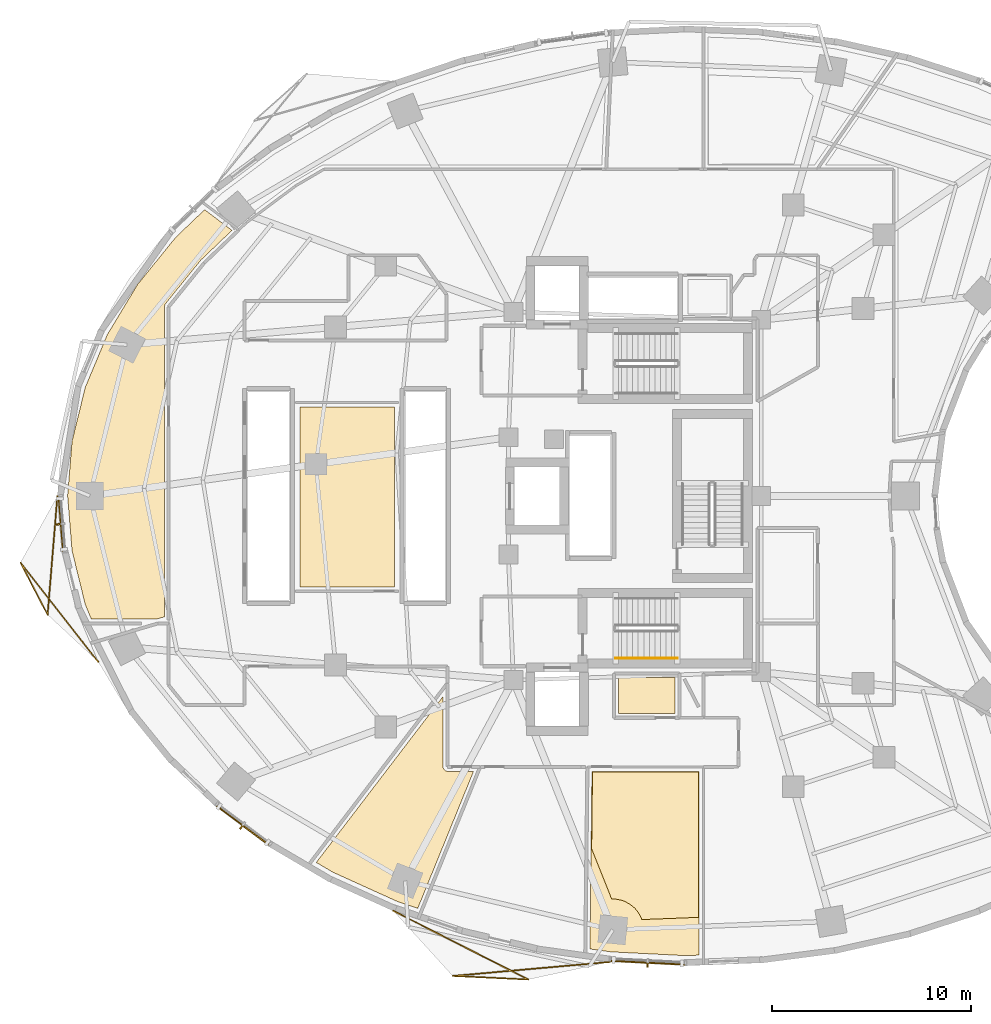
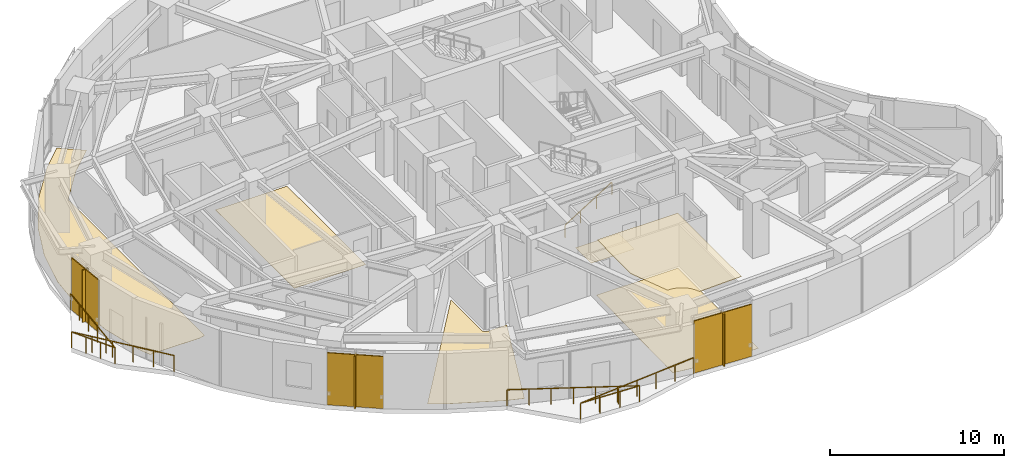
# One storey, part 13 of 15: 6 coverings, 6 shading devices, 3 railings.
"""IFC4 building model written with IfcOpenShell, lengths in metres."""

from ifc_helpers import new_model, si_unit, direction, frame, origin, origin_2d, place, context, subcontext, project, spatial, polyline, rectangle, outline, extrude, material, layer, layer_set, type_object, element, save


model = new_model("IFC4")

# Units and contexts
model_context = context("Model", 3, precision=1e-05, world=origin(), true_north=direction((0.0, 1.0)))
body_context = subcontext(model_context, "Body", "Model", "MODEL_VIEW")
ifc_project = project(units=[si_unit("LENGTHUNIT", "METRE"), si_unit("AREAUNIT", "SQUARE_METRE"), si_unit("VOLUMEUNIT", "CUBIC_METRE"), si_unit("PLANEANGLEUNIT", "RADIAN"), si_unit("MASSUNIT", "GRAM", prefix="KILO")], contexts=[model_context])

# Site, building, storey
site_placement = place(None, origin())
site = spatial("IfcSite", under=ifc_project, at=site_placement, CompositionType="ELEMENT")
building_placement = place(site_placement, origin())
building = spatial("IfcBuilding", under=site, at=building_placement, Name="Korentha Bioscience Tower", CompositionType="ELEMENT")
storey_placement = place(building_placement, frame((0.0, 0.0, 38.39990234375)))
storey = spatial("IfcBuildingStorey", under=building, at=storey_placement, Name="L08", CompositionType="ELEMENT", Elevation=38.39990234375)

# Railings
ifc_material_1 = material(Name="Stainless Steel 304", Category="steel")
railing_type_1 = type_object("IfcRailingType", Name="Brushed Stainless Stair Handrail 900", PredefinedType="HANDRAIL", material=ifc_material_1)
railing_1_placement = place(storey_placement, frame((30.25, 18.85009765625, 0.175048828125)))
element("IfcRailing", 1, at=railing_1_placement, inside=storey, type_object=railing_type_1, Name="L08 ST-2 stair handrail 1", PredefinedType="HANDRAIL", context=body_context, shape_type="SweptSolid", body=[
    extrude(rectangle(XDim=0.048095703125, YDim=0.048095703125, at=origin_2d()), frame((0.0, 0.0, 0.8759765625), z_axis=(0.847998304005, 0.0, 0.529998940003), x_axis=(0.0, 1.0, 0.0)), (0.0, 0.0, 1.0), 3.632080078125),
    extrude(rectangle(XDim=0.0419921875, YDim=0.0419921875, at=origin_2d()), origin(), (0.0, 0.0, 1.0), 0.851806640625),
    extrude(rectangle(XDim=0.0419921875, YDim=0.0419921875, at=origin_2d()), frame((1.026611328125, 0.0, 0.6416015625)), (0.0, 0.0, 1.0), 0.851806640625),
    extrude(rectangle(XDim=0.0419921875, YDim=0.0419921875, at=origin_2d()), frame((2.053466796875, 0.0, 1.283447265625)), (0.0, 0.0, 1.0), 0.851806640625),
    extrude(rectangle(XDim=0.0419921875, YDim=0.0419921875, at=origin_2d()), frame((3.080078125, 0.0, 1.925048828125)), (0.0, 0.0, 1.0), 0.851806640625),
])
ifc_material_2 = material(Name="Laminated Tempered Safety Glass", Category="glass")
railing_type_2 = type_object("IfcRailingType", Name="Laminated Glass Balcony Guardrail 1150", PredefinedType="BALUSTRADE", material=ifc_material_2)
railing_2_placement = place(storey_placement, frame((2.199951171875, 27.0, 0.0)))
element("IfcRailing", 2, at=railing_2_placement, inside=storey, type_object=railing_type_2, Name="L08 Balcony Guardrail 02", PredefinedType="BALUSTRADE", context=body_context, shape_type="SweptSolid", body=[
    extrude(rectangle(XDim=0.048095703125, YDim=0.048095703125, at=origin_2d()), frame((0.0, 0.0, 1.1259765625), z_axis=(-0.082377218536, -0.996601221084, 0.0), x_axis=(0.996601221084, -0.082377218536, 0.0)), (0.0, 0.0, 1.0), 5.986572265625),
    extrude(rectangle(XDim=0.048095703125, YDim=0.048095703125, at=origin_2d()), frame((-0.4931640625, -5.96630859375, 1.1259765625), z_axis=(-0.46168810781, 0.887042327686, 0.0), x_axis=(-0.887042327686, -0.46168810781, 0.0)), (0.0, 0.0, 1.0), 2.95654296875),
    extrude(rectangle(XDim=0.048095703125, YDim=0.048095703125, at=origin_2d()), frame((-1.858154296875, -3.34375, 1.1259765625), z_axis=(0.616598258168, -0.787277961094, 0.0), x_axis=(0.787277961094, 0.616598258168, 0.0)), (0.0, 0.0, 1.0), 6.332275390625),
    extrude(rectangle(XDim=0.0419921875, YDim=0.0419921875, at=origin_2d()), origin(), (0.0, 0.0, 1.0), 1.101806640625),
    extrude(rectangle(XDim=0.0419921875, YDim=0.0419921875, at=origin_2d()), frame((-0.0986328125, -1.193359375, 0.0)), (0.0, 0.0, 1.0), 1.101806640625),
    extrude(rectangle(XDim=0.0419921875, YDim=0.0419921875, at=origin_2d()), frame((-0.197265625, -2.386474609375, 0.0)), (0.0, 0.0, 1.0), 1.101806640625),
    extrude(rectangle(XDim=0.0419921875, YDim=0.0419921875, at=origin_2d()), frame((-0.2958984375, -3.579833984375, 0.0)), (0.0, 0.0, 1.0), 1.101806640625),
    extrude(rectangle(XDim=0.0419921875, YDim=0.0419921875, at=origin_2d()), frame((-0.39453125, -4.77294921875, 0.0)), (0.0, 0.0, 1.0), 1.101806640625),
    extrude(rectangle(XDim=0.0419921875, YDim=0.0419921875, at=origin_2d()), frame((-0.4931640625, -5.96630859375, 0.0)), (0.0, 0.0, 1.0), 1.101806640625),
    extrude(rectangle(XDim=0.0419921875, YDim=0.0419921875, at=origin_2d()), frame((-0.9482421875, -5.092041015625, 0.0)), (0.0, 0.0, 1.0), 1.101806640625),
    extrude(rectangle(XDim=0.0419921875, YDim=0.0419921875, at=origin_2d()), frame((-1.403076171875, -4.218017578125, 0.0)), (0.0, 0.0, 1.0), 1.101806640625),
    extrude(rectangle(XDim=0.0419921875, YDim=0.0419921875, at=origin_2d()), frame((-1.858154296875, -3.34375, 0.0)), (0.0, 0.0, 1.0), 1.101806640625),
    extrude(rectangle(XDim=0.0419921875, YDim=0.0419921875, at=origin_2d()), frame((-1.0771484375, -4.3408203125, 0.0)), (0.0, 0.0, 1.0), 1.101806640625),
    extrude(rectangle(XDim=0.0419921875, YDim=0.0419921875, at=origin_2d()), frame((-0.29638671875, -5.337890625, 0.0)), (0.0, 0.0, 1.0), 1.101806640625),
    extrude(rectangle(XDim=0.0419921875, YDim=0.0419921875, at=origin_2d()), frame((0.484619140625, -6.3349609375, 0.0)), (0.0, 0.0, 1.0), 1.101806640625),
    extrude(rectangle(XDim=0.0419921875, YDim=0.0419921875, at=origin_2d()), frame((1.265380859375, -7.33203125, 0.0)), (0.0, 0.0, 1.0), 1.101806640625),
    extrude(rectangle(XDim=0.0419921875, YDim=0.0419921875, at=origin_2d()), frame((2.04638671875, -8.3291015625, 0.0)), (0.0, 0.0, 1.0), 1.101806640625),
])
railing_3_placement = place(storey_placement, frame((19.07080078125, 6.162353515625, 0.0)))
element("IfcRailing", 3, at=railing_3_placement, inside=storey, type_object=railing_type_2, Name="L08 Balcony Guardrail 03", PredefinedType="BALUSTRADE", context=body_context, shape_type="SweptSolid", body=[
    extrude(rectangle(XDim=0.048095703125, YDim=0.048095703125, at=origin_2d()), frame((0.0, 0.0, 1.1259765625), z_axis=(0.891319654486, -0.45337542228, 0.0), x_axis=(0.45337542228, 0.891319654486, 0.0)), (0.0, 0.0, 1.0), 7.610107421875),
    extrude(rectangle(XDim=0.048095703125, YDim=0.048095703125, at=origin_2d()), frame((6.782958984375, -3.4501953125, 1.1259765625), z_axis=(-0.998888075522, 0.047144592276, 0.0), x_axis=(-0.047144592276, -0.998888075522, 0.0)), (0.0, 0.0, 1.0), 3.80615234375),
    extrude(rectangle(XDim=0.048095703125, YDim=0.048095703125, at=origin_2d()), frame((2.98095703125, -3.270751953125, 1.1259765625), z_axis=(0.996070888577, 0.088559499377, 0.0), x_axis=(-0.088559499377, 0.996070888577, 0.0)), (0.0, 0.0, 1.0), 7.920166015625),
    extrude(rectangle(XDim=0.0419921875, YDim=0.0419921875, at=origin_2d()), origin(), (0.0, 0.0, 1.0), 1.101806640625),
    extrude(rectangle(XDim=0.0419921875, YDim=0.0419921875, at=origin_2d()), frame((1.13037109375, -0.574951171875, 0.0)), (0.0, 0.0, 1.0), 1.101806640625),
    extrude(rectangle(XDim=0.0419921875, YDim=0.0419921875, at=origin_2d()), frame((2.260986328125, -1.150146484375, 0.0)), (0.0, 0.0, 1.0), 1.101806640625),
    extrude(rectangle(XDim=0.0419921875, YDim=0.0419921875, at=origin_2d()), frame((3.3916015625, -1.72509765625, 0.0)), (0.0, 0.0, 1.0), 1.101806640625),
    extrude(rectangle(XDim=0.0419921875, YDim=0.0419921875, at=origin_2d()), frame((4.52197265625, -2.300048828125, 0.0)), (0.0, 0.0, 1.0), 1.101806640625),
    extrude(rectangle(XDim=0.0419921875, YDim=0.0419921875, at=origin_2d()), frame((5.65234375, -2.875244140625, 0.0)), (0.0, 0.0, 1.0), 1.101806640625),
    extrude(rectangle(XDim=0.0419921875, YDim=0.0419921875, at=origin_2d()), frame((6.782958984375, -3.4501953125, 0.0)), (0.0, 0.0, 1.0), 1.101806640625),
    extrude(rectangle(XDim=0.0419921875, YDim=0.0419921875, at=origin_2d()), frame((5.515625, -3.390380859375, 0.0)), (0.0, 0.0, 1.0), 1.101806640625),
    extrude(rectangle(XDim=0.0419921875, YDim=0.0419921875, at=origin_2d()), frame((4.248291015625, -3.33056640625, 0.0)), (0.0, 0.0, 1.0), 1.101806640625),
    extrude(rectangle(XDim=0.0419921875, YDim=0.0419921875, at=origin_2d()), frame((2.98095703125, -3.270751953125, 0.0)), (0.0, 0.0, 1.0), 1.101806640625),
    extrude(rectangle(XDim=0.0419921875, YDim=0.0419921875, at=origin_2d()), frame((4.2958984375, -3.15380859375, 0.0)), (0.0, 0.0, 1.0), 1.101806640625),
    extrude(rectangle(XDim=0.0419921875, YDim=0.0419921875, at=origin_2d()), frame((5.610595703125, -3.036865234375, 0.0)), (0.0, 0.0, 1.0), 1.101806640625),
    extrude(rectangle(XDim=0.0419921875, YDim=0.0419921875, at=origin_2d()), frame((6.925537109375, -2.919921875, 0.0)), (0.0, 0.0, 1.0), 1.101806640625),
    extrude(rectangle(XDim=0.0419921875, YDim=0.0419921875, at=origin_2d()), frame((8.240478515625, -2.80322265625, 0.0)), (0.0, 0.0, 1.0), 1.101806640625),
    extrude(rectangle(XDim=0.0419921875, YDim=0.0419921875, at=origin_2d()), frame((9.55517578125, -2.686279296875, 0.0)), (0.0, 0.0, 1.0), 1.101806640625),
    extrude(rectangle(XDim=0.0419921875, YDim=0.0419921875, at=origin_2d()), frame((10.8701171875, -2.5693359375, 0.0)), (0.0, 0.0, 1.0), 1.101806640625),
])

# Covering
ifc_material_3 = material(Name="Antimicrobial Mineral Fibre Board", Category="gypsum")
ifc_layer_1 = layer(ifc_material_3, 0.034912109375, Name="Antimicrobial Mineral Fibre Board")
ifc_layer_set_1 = layer_set([ifc_layer_1], Name="Antimicrobial Mineral Fibre Board (CL-MF35)")
covering_type_1 = type_object("IfcCoveringType", Name="Mineral-Fibre Cleanroom Suspended Ceiling 35", PredefinedType="CEILING", material=ifc_layer_set_1)
covering_1_placement = place(storey_placement, frame((0.0, 0.0, 3.864990234375)))
element("IfcCovering", 4, at=covering_1_placement, inside=storey, type_object=covering_type_1, Name="L08 Clinical Advisory Boardroom 05 Acoustic Ceiling", PredefinedType="CEILING", context=body_context, shape_type="SweptSolid", body=[
    extrude(outline(polyline([(34.39794921875, 5.833984375), (31.553955078125, 5.723388671875), (31.461181640625, 5.93798828125), (31.29248046875, 6.190673828125), (31.190185546875, 6.303466796875), (30.955322265625, 6.49609375), (30.6875, 6.639404296875), (30.544189453125, 6.690673828125), (30.24609375, 6.75), (30.037841796875, 6.754638671875), (29.03271484375, 9.27880859375), (29.076171875, 13.139892578125), (34.39794921875, 13.139892578125), (34.39794921875, 5.833984375)])), origin(), (0.0, 0.0, 1.0), 0.03515625),
])

# Shading devices
ifc_material_4 = material(Name="Perforated Stone-Ceramic Composite", Category="masonry")
ifc_layer_2 = layer(ifc_material_4, 0.06494140625, Name="Perforated Stone-Ceramic Composite")
ifc_layer_set_2 = layer_set([ifc_layer_2], Name="Perforated Stone-Ceramic Composite (CS-01)")
shading_device_type_1 = type_object("IfcShadingDeviceType", Name="Perforated Stone-Ceramic Solar Screen Panel 65", PredefinedType="USERDEFINED", material=ifc_layer_set_2)
shading_device_1_placement = place(storey_placement, frame((2.37451171875, 25.58935546875, 0.000244140625), z_axis=(0.0, 0.0, 1.0), x_axis=(0.080820466375, -0.996728675325, 0.0)))
element("IfcShadingDevice", 5, at=shading_device_1_placement, inside=storey, type_object=shading_device_type_1, Name="CW-L08-19 Perforated Stone-Ceramic Solar Screen", ObjectType="SCREEN", PredefinedType="USERDEFINED", context=body_context, shape_type="SweptSolid", body=[
    extrude(rectangle(XDim=2.739990234375, YDim=0.06494140625, at=origin_2d()), origin(), (0.0, 0.0, 1.0), 3.64990234375),
])
shading_device_2_placement = place(storey_placement, frame((11.503662109375, 10.455078125, 0.000244140625), z_axis=(0.0, 0.0, 1.0), x_axis=(0.800797909614, -0.598934644145, 0.0)))
element("IfcShadingDevice", 6, at=shading_device_2_placement, inside=storey, type_object=shading_device_type_1, Name="CW-L08-25 Perforated Stone-Ceramic Solar Screen", ObjectType="SCREEN", PredefinedType="USERDEFINED", context=body_context, shape_type="SweptSolid", body=[
    extrude(rectangle(XDim=3.260986328125, YDim=0.06494140625, at=origin_2d()), origin(), (0.0, 0.0, 1.0), 3.64990234375),
])
shading_device_3_placement = place(storey_placement, frame((31.85009765625, 3.556640625, 0.000244140625), z_axis=(0.0, 0.0, 1.0), x_axis=(0.998730551641, -0.050371472279, 0.0)))
element("IfcShadingDevice", 7, at=shading_device_3_placement, inside=storey, type_object=shading_device_type_1, Name="CW-L08-31 Perforated Stone-Ceramic Solar Screen", ObjectType="SCREEN", PredefinedType="USERDEFINED", context=body_context, shape_type="SweptSolid", body=[
    extrude(rectangle(XDim=3.717041015625, YDim=0.06494140625, at=origin_2d()), origin(), (0.0, 0.0, 1.0), 3.64990234375),
])

# Coverings
ifc_material_5 = material(Name="Chemical-Resistant Epoxy Resin", Category="polymer")
ifc_layer_3 = layer(ifc_material_5, 0.011962890625, Name="Chemical-Resistant Epoxy Resin")
ifc_layer_set_3 = layer_set([ifc_layer_3], Name="Chemical-Resistant Epoxy Resin (FL-EPX)")
covering_type_2 = type_object("IfcCoveringType", Name="Seamless Epoxy Laboratory Flooring 12", PredefinedType="FLOORING", material=ifc_layer_set_3)
covering_2_placement = place(storey_placement, origin())
element("IfcCovering", 8, at=covering_2_placement, inside=storey, type_object=covering_type_2, Name="L08 Core Instrumentation and Gas Store Floor Finish", PredefinedType="FLOORING", context=body_context, shape_type="SweptSolid", body=[
    extrude(outline(polyline([(30.3701171875, 16.080078125), (30.3701171875, 17.8701171875), (33.22998046875, 17.8701171875), (33.22998046875, 16.080078125), (30.3701171875, 16.080078125)])), origin(), (0.0, 0.0, 1.0), 0.01220703125),
])
covering_3_placement = place(storey_placement, origin())
element("IfcCovering", 9, at=covering_3_placement, inside=storey, type_object=covering_type_2, Name="L08 Principal Investigator Office 01 Floor Finish", PredefinedType="FLOORING", context=body_context, shape_type="SweptSolid", body=[
    extrude(outline(polyline([(14.3798828125, 22.429931640625), (14.380126953125, 31.477783203125), (19.119873046875, 31.47802734375), (19.119873046875, 22.429931640625), (14.3798828125, 22.429931640625)])), origin(), (0.0, 0.0, 1.0), 0.01220703125),
])
covering_4_placement = place(storey_placement, origin())
element("IfcCovering", 10, at=covering_4_placement, inside=storey, type_object=covering_type_2, Name="L08 Staff Pantry Kitchenette 03 Floor Finish", PredefinedType="FLOORING", context=body_context, shape_type="SweptSolid", body=[
    extrude(outline(polyline([(15.200439453125, 8.59130859375), (21.570068359375, 16.930908203125), (21.570068359375, 13.39990234375), (21.58349609375, 13.322021484375), (21.66259765625, 13.215576171875), (21.7666015625, 13.17236328125), (23.10205078125, 13.169921875), (20.298095703125, 6.28466796875), (19.258544921875, 6.63720703125), (16.0458984375, 8.09521484375), (15.200439453125, 8.59130859375)])), origin(), (0.0, 0.0, 1.0), 0.01220703125),
])
covering_5_placement = place(storey_placement, origin())
element("IfcCovering", 11, at=covering_5_placement, inside=storey, type_object=covering_type_2, Name="L08 Clinical Advisory Boardroom 05 Floor Finish", PredefinedType="FLOORING", context=body_context, shape_type="SweptSolid", body=[
    extrude(outline(polyline([(29.04638671875, 13.169921875), (34.427978515625, 13.169921875), (34.427978515625, 3.937255859375), (33.756103515625, 3.9111328125), (29.989501953125, 4.101318359375), (28.9462890625, 4.24853515625), (29.04638671875, 13.169921875)])), origin(), (0.0, 0.0, 1.0), 0.01220703125),
])
covering_6_placement = place(storey_placement, origin())
element("IfcCovering", 12, at=covering_6_placement, inside=storey, type_object=covering_type_2, Name="L08 Researchers' Wellness Quiet Room 15 Floor Finish", PredefinedType="FLOORING", context=body_context, shape_type="SweptSolid", body=[
    extrude(outline(polyline([(2.9345703125, 29.74853515625), (3.600830078125, 32.46044921875), (4.702392578125, 35.097900390625), (6.225830078125, 37.623779296875), (8.15087890625, 40.001708984375), (9.59423828125, 41.378173828125), (10.967529296875, 40.3388671875), (9.4033203125, 38.84619140625), (7.62109375, 36.64599609375), (7.572509765625, 36.5341796875), (7.570068359375, 20.92626953125), (7.19677734375, 20.822021484375), (3.900634765625, 20.822021484375), (3.600830078125, 21.53955078125), (2.934814453125, 24.251220703125), (2.711669921875, 27.0), (2.9345703125, 29.74853515625)])), origin(), (0.0, 0.0, 1.0), 0.01220703125),
])

# Shading devices
ifc_material_6 = material(Name="Honed Travertine Limestone", Category="masonry")
ifc_layer_4 = layer(ifc_material_6, 0.080078125, Name="Honed Travertine Limestone")
ifc_layer_set_4 = layer_set([ifc_layer_4], Name="Honed Travertine Limestone (CS-02)")
shading_device_type_2 = type_object("IfcShadingDeviceType", Name="Vertical Honed Limestone Sunshade Fin 80x420", PredefinedType="USERDEFINED", material=ifc_layer_set_4)
for number, where, z_axis, x_axis, name in (
    (13, (2.354736328125, 25.587890625, 0.000244140625), (0.0, 0.0, 1.0), (0.080820466375, -0.996728675325, 0.0), "CW-L08-19 Limestone Sunshade Fin"),
    (14, (11.49169921875, 10.439208984375, 0.000244140625), (0.0, 0.0, 1.0), (0.800797909614, -0.598934644145, 0.0), "CW-L08-25 Limestone Sunshade Fin"),
    (15, (31.84912109375, 3.536865234375, 0.000244140625), (0.0, 0.0, 1.0), (0.998730551641, -0.050371472279, 0.0), "CW-L08-31 Limestone Sunshade Fin"),
):
    element("IfcShadingDevice", number, at=place(storey_placement, frame(where, z_axis=z_axis, x_axis=x_axis)), inside=storey, type_object=shading_device_type_2, Name=name, ObjectType="SCREEN", PredefinedType="USERDEFINED", context=body_context, shape_type="SweptSolid", body=[
        extrude(rectangle(XDim=0.080078125, YDim=0.419921875, at=origin_2d()), origin(), (0.0, 0.0, 1.0), 3.64990234375),
    ])

save(model, "model.ifc")
